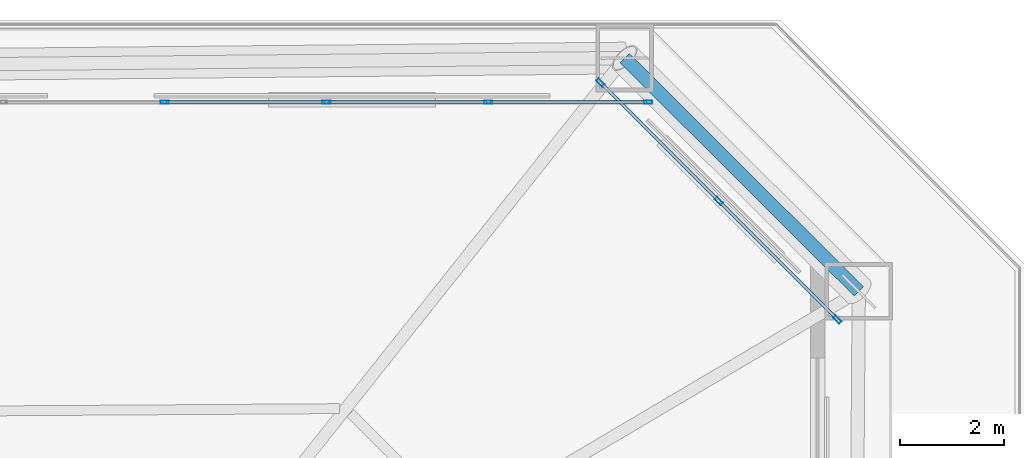
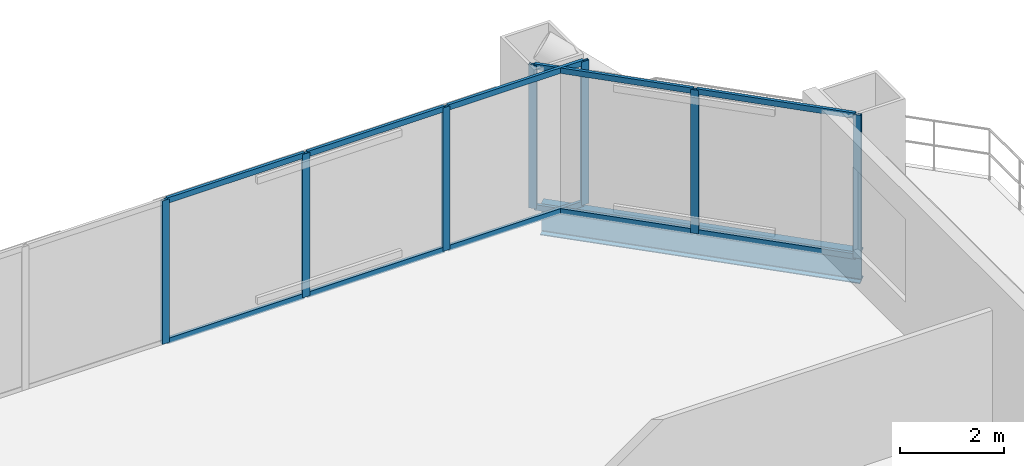
# One storey, part 25 of 34: 17 members, 1 beam, 2 elements without a shape of their own.
"""IFC4 building model written with IfcOpenShell, lengths in metres."""

from ifc_helpers import new_model, si_unit, direction, frame, origin, origin_2d, place, context, subcontext, project, spatial, hollow_rectangle, i_section, extrude, material, layer, layer_set, material_profile, profile_set, type_object, element, aggregate, save


model = new_model("IFC4")

# Units and contexts
model_context = context("Model", 3, precision=1e-05, world=origin(), true_north=direction((0.0, 1.0)))
body_context = subcontext(model_context, "Body", "Model", "MODEL_VIEW")
ifc_project = project(units=[si_unit("LENGTHUNIT", "METRE"), si_unit("AREAUNIT", "SQUARE_METRE"), si_unit("VOLUMEUNIT", "CUBIC_METRE"), si_unit("PLANEANGLEUNIT", "RADIAN"), si_unit("MASSUNIT", "GRAM", prefix="KILO")], contexts=[model_context])

# Site, building, storey
site_placement = place(None, origin())
site = spatial("IfcSite", under=ifc_project, at=site_placement, CompositionType="ELEMENT")
building_placement = place(site_placement, origin())
building = spatial("IfcBuilding", under=site, at=building_placement, Name="Caelvoria Tower", CompositionType="ELEMENT")
storey_placement = place(building_placement, frame((0.0, 0.0, 28.0)))
storey = spatial("IfcBuildingStorey", under=building, at=storey_placement, Name="L06", CompositionType="ELEMENT", Elevation=28.0)

# Curtain wall, members
ifc_material_1 = material(Name="Anodised Bronze Aluminium and Low-E Glass", Category="aluminium")
ifc_layer = layer(ifc_material_1, 0.18505859375, Name="Anodised Bronze Aluminium and Low-E Glass")
ifc_layer_set = layer_set([ifc_layer], Name="CW System 2 Lower Tower Bronze Unitised Facade - Anodised Bronze Aluminium and Low-E Glass")
curtain_wall_type = type_object("IfcCurtainWallType", Name="CW System 2 Lower Tower Bronze Unitised Facade", PredefinedType="NOTDEFINED", material=ifc_layer_set)
curtain_wall_1_placement = place(storey_placement, origin())
curtain_wall_1 = element("IfcCurtainWall", 1, at=curtain_wall_1_placement, inside=storey, type_object=curtain_wall_type, Name="CW-02 Curtain Wall L06-E3", PredefinedType="NOTDEFINED")
ifc_material_2 = material(Name="Anodised Bronze Architectural Aluminium", Category="aluminium")
ifc_material_profile_1 = material_profile(ifc_material_2, hollow_rectangle(XDim=0.06494140625, YDim=0.159912109375, WallThickness=0.00390625, at=origin_2d()), Name="Anodised Bronze Architectural Aluminium")
ifc_profile_set_1 = profile_set([ifc_material_profile_1], Name="CW_MULL_65X160 - Anodised Bronze Architectural Aluminium")
member_type_1 = type_object("IfcMemberType", Name="Curtain Wall Mullion 65x160 Bronze Aluminium", PredefinedType="MULLION", material=ifc_profile_set_1)
member_1_placement = place(storey_placement, frame((69.80126953125, 48.447265625, 0.0), z_axis=(0.0, 0.0, 1.0), x_axis=(-0.707106781187, -0.707106781187, 0.0)))
member_1 = element("IfcMember", 2, at=member_1_placement, type_object=member_type_1, Name="CW-02 mullion 1", PredefinedType="MULLION", context=body_context, shape_type="SweptSolid", body=[
    extrude(hollow_rectangle(XDim=0.06494140625, YDim=0.159912109375, WallThickness=0.00390625, at=origin_2d()), origin(), (0.0, 0.0, 1.0), 3.360107421875),
])
member_2_placement = place(storey_placement, frame((67.524169921875, 50.72412109375, 0.0), z_axis=(0.0, 0.0, 1.0), x_axis=(-0.707106781187, -0.707106781187, 0.0)))
member_2 = element("IfcMember", 3, at=member_2_placement, type_object=member_type_1, Name="CW-02 mullion 2", PredefinedType="MULLION", context=body_context, shape_type="SweptSolid", body=[
    extrude(hollow_rectangle(XDim=0.06494140625, YDim=0.159912109375, WallThickness=0.00390625, at=origin_2d()), origin(), (0.0, 0.0, 1.0), 3.360107421875),
])
member_3_placement = place(storey_placement, frame((65.2470703125, 53.001220703125, 0.0), z_axis=(0.0, 0.0, 1.0), x_axis=(-0.707106781187, -0.707106781187, 0.0)))
member_3 = element("IfcMember", 4, at=member_3_placement, type_object=member_type_1, Name="CW-02 mullion 3", PredefinedType="MULLION", context=body_context, shape_type="SweptSolid", body=[
    extrude(hollow_rectangle(XDim=0.06494140625, YDim=0.159912109375, WallThickness=0.00390625, at=origin_2d()), origin(), (0.0, 0.0, 1.0), 3.360107421875),
])

curtain_wall_2_placement = place(storey_placement, origin())
curtain_wall_2 = element("IfcCurtainWall", 5, at=curtain_wall_2_placement, inside=storey, type_object=curtain_wall_type, Name="CW-02 Curtain Wall L06-E4", PredefinedType="NOTDEFINED")
member_4_placement = place(storey_placement, frame((66.16748046875, 52.6201171875, 0.0), z_axis=(0.0, 0.0, 1.0), x_axis=(0.0, -1.0, 0.0)))
member_4 = element("IfcMember", 6, at=member_4_placement, type_object=member_type_1, Name="CW-02 mullion 1", PredefinedType="MULLION", context=body_context, shape_type="SweptSolid", body=[
    extrude(hollow_rectangle(XDim=0.06494140625, YDim=0.159912109375, WallThickness=0.00390625, at=origin_2d()), origin(), (0.0, 0.0, 1.0), 3.360107421875),
])
member_5_placement = place(storey_placement, frame((63.09228515625, 52.6201171875, 0.0), z_axis=(0.0, 0.0, 1.0), x_axis=(0.0, -1.0, 0.0)))
member_5 = element("IfcMember", 7, at=member_5_placement, type_object=member_type_1, Name="CW-02 mullion 2", PredefinedType="MULLION", context=body_context, shape_type="SweptSolid", body=[
    extrude(hollow_rectangle(XDim=0.06494140625, YDim=0.159912109375, WallThickness=0.00390625, at=origin_2d()), origin(), (0.0, 0.0, 1.0), 3.360107421875),
])
member_6_placement = place(storey_placement, frame((59.984619140625, 52.6201171875, 0.0), z_axis=(0.0, 0.0, 1.0), x_axis=(0.0, -1.0, 0.0)))
member_6 = element("IfcMember", 8, at=member_6_placement, type_object=member_type_1, Name="CW-02 mullion 3", PredefinedType="MULLION", context=body_context, shape_type="SweptSolid", body=[
    extrude(hollow_rectangle(XDim=0.06494140625, YDim=0.159912109375, WallThickness=0.00390625, at=origin_2d()), origin(), (0.0, 0.0, 1.0), 3.360107421875),
])
member_7_placement = place(storey_placement, frame((56.876953125, 52.6201171875, 0.0), z_axis=(0.0, 0.0, 1.0), x_axis=(0.0, -1.0, 0.0)))
member_7 = element("IfcMember", 9, at=member_7_placement, type_object=member_type_1, Name="CW-02 mullion 4", PredefinedType="MULLION", context=body_context, shape_type="SweptSolid", body=[
    extrude(hollow_rectangle(XDim=0.06494140625, YDim=0.159912109375, WallThickness=0.00390625, at=origin_2d()), origin(), (0.0, 0.0, 1.0), 3.360107421875),
])

# Member
ifc_material_profile_2 = material_profile(ifc_material_2, hollow_rectangle(XDim=0.06494140625, YDim=0.1298828125, WallThickness=0.00341796875, at=origin_2d()), Name="Anodised Bronze Architectural Aluminium")
ifc_profile_set_2 = profile_set([ifc_material_profile_2], Name="CW_TRAN_65X130 - Anodised Bronze Architectural Aluminium")
member_type_2 = type_object("IfcMemberType", Name="Curtain Wall Transom 65x130 Bronze Aluminium", PredefinedType="USERDEFINED", material=ifc_profile_set_2)
member_8_placement = place(storey_placement, frame((69.7783203125, 48.47021484375, 0.032470703125), z_axis=(-0.707145468468, 0.707068091789, 0.0), x_axis=(-0.707068091789, -0.707145468468, 0.0)))
member_8 = element("IfcMember", 10, at=member_8_placement, type_object=member_type_2, Name="CW-02 transom 1.1", ObjectType="TRANSOM", PredefinedType="USERDEFINED", context=body_context, shape_type="SweptSolid", body=[
    extrude(hollow_rectangle(XDim=0.06494140625, YDim=0.1298828125, WallThickness=0.00341796875, at=origin_2d()), origin(), (0.0, 0.0, 1.0), 3.1552734375),
])

member_9_placement = place(storey_placement, frame((69.7783203125, 48.47021484375, 3.327392578125), z_axis=(-0.707145468468, 0.707068091789, 0.0), x_axis=(-0.707068091789, -0.707145468468, 0.0)))
member_9 = element("IfcMember", 11, at=member_9_placement, type_object=member_type_2, Name="CW-02 transom 1.2", ObjectType="TRANSOM", PredefinedType="USERDEFINED", context=body_context, shape_type="SweptSolid", body=[
    extrude(hollow_rectangle(XDim=0.06494140625, YDim=0.1298828125, WallThickness=0.00341796875, at=origin_2d()), origin(), (0.0, 0.0, 1.0), 3.1552734375),
])

member_10_placement = place(storey_placement, frame((67.501220703125, 50.7470703125, 0.032470703125), z_axis=(-0.707068091789, 0.707145468468, 0.0), x_axis=(-0.707145468468, -0.707068091789, 0.0)))
member_10 = element("IfcMember", 12, at=member_10_placement, type_object=member_type_2, Name="CW-02 transom 2.1", ObjectType="TRANSOM", PredefinedType="USERDEFINED", context=body_context, shape_type="SweptSolid", body=[
    extrude(hollow_rectangle(XDim=0.06494140625, YDim=0.1298828125, WallThickness=0.00341796875, at=origin_2d()), origin(), (0.0, 0.0, 1.0), 3.1552734375),
])

member_11_placement = place(storey_placement, frame((67.501220703125, 50.7470703125, 3.327392578125), z_axis=(-0.707068091789, 0.707145468468, 0.0), x_axis=(-0.707145468468, -0.707068091789, 0.0)))
member_11 = element("IfcMember", 13, at=member_11_placement, type_object=member_type_2, Name="CW-02 transom 2.2", ObjectType="TRANSOM", PredefinedType="USERDEFINED", context=body_context, shape_type="SweptSolid", body=[
    extrude(hollow_rectangle(XDim=0.06494140625, YDim=0.1298828125, WallThickness=0.00341796875, at=origin_2d()), origin(), (0.0, 0.0, 1.0), 3.1552734375),
])

aggregate(curtain_wall_1, [member_1, member_2, member_3, member_8, member_9, member_10, member_11])

member_12_placement = place(storey_placement, frame((66.135009765625, 52.6201171875, 0.032470703125), z_axis=(-1.0, 0.0, 0.0), x_axis=(0.0, -1.0, 0.0)))
member_12 = element("IfcMember", 14, at=member_12_placement, type_object=member_type_2, Name="CW-02 transom 1.1", ObjectType="TRANSOM", PredefinedType="USERDEFINED", context=body_context, shape_type="SweptSolid", body=[
    extrude(hollow_rectangle(XDim=0.06494140625, YDim=0.1298828125, WallThickness=0.00341796875, at=origin_2d()), origin(), (0.0, 0.0, 1.0), 3.01025390625),
])

member_13_placement = place(storey_placement, frame((66.135009765625, 52.6201171875, 3.327392578125), z_axis=(-1.0, 0.0, 0.0), x_axis=(0.0, -1.0, 0.0)))
member_13 = element("IfcMember", 15, at=member_13_placement, type_object=member_type_2, Name="CW-02 transom 1.2", ObjectType="TRANSOM", PredefinedType="USERDEFINED", context=body_context, shape_type="SweptSolid", body=[
    extrude(hollow_rectangle(XDim=0.06494140625, YDim=0.1298828125, WallThickness=0.00341796875, at=origin_2d()), origin(), (0.0, 0.0, 1.0), 3.01025390625),
])

member_14_placement = place(storey_placement, frame((63.059814453125, 52.6201171875, 0.032470703125), z_axis=(-1.0, 0.0, 0.0), x_axis=(0.0, -1.0, 0.0)))
member_14 = element("IfcMember", 16, at=member_14_placement, type_object=member_type_2, Name="CW-02 transom 2.1", ObjectType="TRANSOM", PredefinedType="USERDEFINED", context=body_context, shape_type="SweptSolid", body=[
    extrude(hollow_rectangle(XDim=0.06494140625, YDim=0.1298828125, WallThickness=0.00341796875, at=origin_2d()), origin(), (0.0, 0.0, 1.0), 3.042724609375),
])

member_15_placement = place(storey_placement, frame((63.059814453125, 52.6201171875, 3.327392578125), z_axis=(-1.0, 0.0, 0.0), x_axis=(0.0, -1.0, 0.0)))
member_15 = element("IfcMember", 17, at=member_15_placement, type_object=member_type_2, Name="CW-02 transom 2.2", ObjectType="TRANSOM", PredefinedType="USERDEFINED", context=body_context, shape_type="SweptSolid", body=[
    extrude(hollow_rectangle(XDim=0.06494140625, YDim=0.1298828125, WallThickness=0.00341796875, at=origin_2d()), origin(), (0.0, 0.0, 1.0), 3.042724609375),
])

member_16_placement = place(storey_placement, frame((59.9521484375, 52.6201171875, 0.032470703125), z_axis=(-1.0, 0.0, 0.0), x_axis=(0.0, -1.0, 0.0)))
member_16 = element("IfcMember", 18, at=member_16_placement, type_object=member_type_2, Name="CW-02 transom 3.1", ObjectType="TRANSOM", PredefinedType="USERDEFINED", context=body_context, shape_type="SweptSolid", body=[
    extrude(hollow_rectangle(XDim=0.06494140625, YDim=0.1298828125, WallThickness=0.00341796875, at=origin_2d()), origin(), (0.0, 0.0, 1.0), 3.042724609375),
])

member_17_placement = place(storey_placement, frame((59.9521484375, 52.6201171875, 3.327392578125), z_axis=(-1.0, 0.0, 0.0), x_axis=(0.0, -1.0, 0.0)))
member_17 = element("IfcMember", 19, at=member_17_placement, type_object=member_type_2, Name="CW-02 transom 3.2", ObjectType="TRANSOM", PredefinedType="USERDEFINED", context=body_context, shape_type="SweptSolid", body=[
    extrude(hollow_rectangle(XDim=0.06494140625, YDim=0.1298828125, WallThickness=0.00341796875, at=origin_2d()), origin(), (0.0, 0.0, 1.0), 3.042724609375),
])

aggregate(curtain_wall_2, [member_4, member_5, member_6, member_7, member_12, member_13, member_14, member_15, member_16, member_17])

# Beam
ifc_material_3 = material(Name="Structural Steel ASTM A992 Gr.50", Category="steel")
ifc_material_profile_3 = material_profile(ifc_material_3, i_section(OverallWidth=0.25390625, OverallDepth=0.68798828125, WebThickness=0.01318359375, FlangeThickness=0.02099609375, FilletRadius=0.01904296875, at=origin_2d()), Name="Structural Steel ASTM A992 Gr.50")
ifc_profile_set_3 = profile_set([ifc_material_profile_3], Name="W690X152 - Structural Steel ASTM A992 Gr.50")
beam_type = type_object("IfcBeamType", Name="Perimeter Spandrel Girder W690X152", PredefinedType="BEAM", material=ifc_profile_set_3)
beam_placement = place(storey_placement, frame((70.210693359375, 48.986572265625, -0.6640625), z_axis=(-0.708278391642, 0.705933226257, 0.0), x_axis=(-0.705933226257, -0.708278391642, 0.0)))
element("IfcBeam", 20, at=beam_placement, inside=storey, type_object=beam_type, Name="Perimeter Spandrel Girder L06-05", PredefinedType="BEAM", context=body_context, shape_type="SweptSolid", body=[
    extrude(i_section(OverallWidth=0.25390625, OverallDepth=0.68798828125, WebThickness=0.01318359375, FlangeThickness=0.02099609375, FilletRadius=0.01904296875, at=origin_2d()), origin(), (0.0, 0.0, 1.0), 6.350341796875),
])

save(model, "model.ifc")
